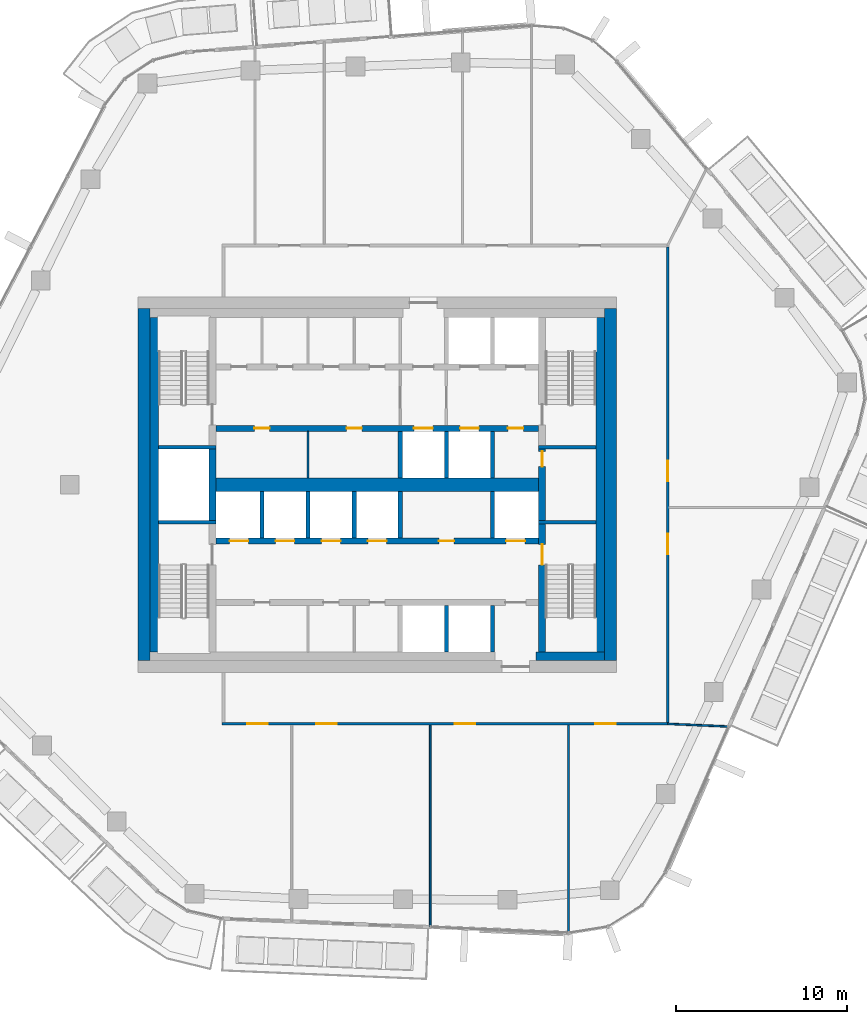
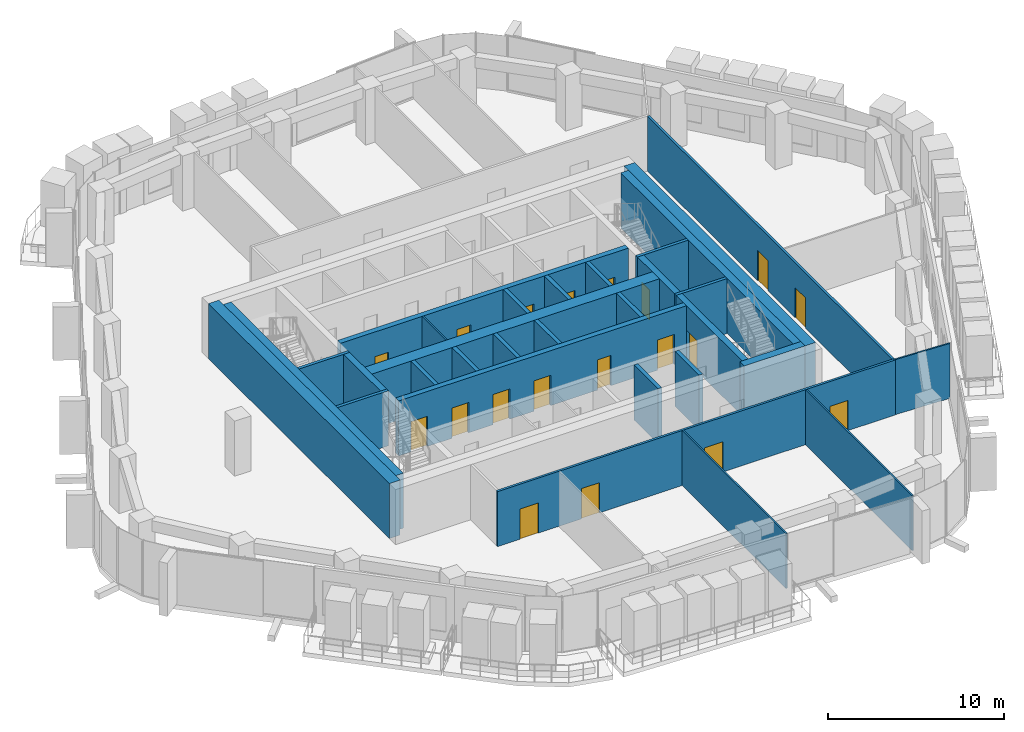
# One storey, part 11 of 20: 31 walls, 19 doors, 19 openings.
"""IFC4 building model written with IfcOpenShell, lengths in metres."""

from ifc_helpers import new_model, si_unit, direction, frame, frame_2d, origin, place, context, subcontext, project, spatial, rectangle, extrude, material, layer, layer_set, type_object, element, fill, save


model = new_model("IFC4")

# Units and contexts
model_context = context("Model", 3, precision=1e-05, world=origin(), true_north=direction((0.0, 1.0)))
body_context = subcontext(model_context, "Body", "Model", "MODEL_VIEW")
ifc_project = project(units=[si_unit("LENGTHUNIT", "METRE"), si_unit("AREAUNIT", "SQUARE_METRE"), si_unit("VOLUMEUNIT", "CUBIC_METRE"), si_unit("PLANEANGLEUNIT", "RADIAN"), si_unit("MASSUNIT", "GRAM", prefix="KILO")], contexts=[model_context])

# Site, building, storey
site_placement = place(None, origin())
site = spatial("IfcSite", under=ifc_project, at=site_placement, CompositionType="ELEMENT")
building_placement = place(site_placement, origin())
building = spatial("IfcBuilding", under=site, at=building_placement, Name="Dongbaek Canopy Tower", CompositionType="ELEMENT")
storey_placement = place(building_placement, frame((0.0, 0.0, 245.39990234375)))
storey = spatial("IfcBuildingStorey", under=building, at=storey_placement, Name="L51", CompositionType="ELEMENT", Elevation=245.39990234375)

# Wall
ifc_material_1 = material(Name="Concrete C60/75", Category="concrete")
ifc_layer_1 = layer(ifc_material_1, 0.800048828125)
ifc_layer_set_1 = layer_set([ifc_layer_1], Name="Core central wall 800 Concrete C60/75")
wall_type_1 = type_object("IfcWallType", Name="Core central wall 800 Concrete C60/75", PredefinedType="SHEAR", material=ifc_layer_set_1)
wall_1_placement = place(storey_placement, frame((-9.449951171875, 0.0, 0.0), z_axis=(0.0, 0.0, 1.0), x_axis=(1.0, 0.0, 0.0)))
element("IfcWall", 1, at=wall_1_placement, inside=storey, type_object=wall_type_1, Name="Core wall", PredefinedType="SHEAR", context=body_context, shape_type="SweptSolid", body=[
    extrude(rectangle(XDim=18.89990234375, YDim=0.800048828125, at=frame_2d((9.449951171875, 0.0))), origin(), (0.0, 0.0, 1.0), 3.820068359375),
])

# Wall, openings, doors
ifc_material_2 = material(Name="Concrete C60/75", Category="concrete")
ifc_layer_2 = layer(ifc_material_2, 0.35009765625)
ifc_layer_set_2 = layer_set([ifc_layer_2], Name="Core lobby wall 350 Concrete C60/75")
wall_type_2 = type_object("IfcWallType", Name="Core lobby wall 350 Concrete C60/75", PredefinedType="SHEAR", material=ifc_layer_set_2)
wall_2_placement = place(storey_placement, frame((9.449951171875, 3.300048828125, 0.0), z_axis=(0.0, 0.0, 1.0), x_axis=(-1.0, 0.0, 0.0)))
wall_2 = element("IfcWall", 2, at=wall_2_placement, inside=storey, type_object=wall_type_2, Name="Core wall", PredefinedType="SHEAR", context=body_context, shape_type="SweptSolid", body=[
    extrude(rectangle(XDim=18.89990234375, YDim=0.35009765625, at=frame_2d((9.449951171875, 0.0))), origin(), (0.0, 0.0, 1.0), 3.820068359375),
])
opening_1_placement = place(wall_2_placement, frame((6.199951171875, 0.0, 0.0)))
opening_1 = element("IfcOpeningElement", 3, at=opening_1_placement, cuts=wall_2, Name="Opening L51-D016", PredefinedType="OPENING", context=body_context, shape_type="SweptSolid", body=[
    extrude(rectangle(XDim=1.10009765625, YDim=2.10009765625, at=frame_2d((0.550048828125, 1.050048828125))), frame((0.0, 0.18505859375, 0.0), z_axis=(0.0, -1.0, 0.0), x_axis=(1.0, 0.0, 0.0)), (0.0, 0.0, 1.0), 0.3701171875),
])
opening_2_placement = place(wall_2_placement, frame((3.5, 0.0, 0.0)))
opening_2 = element("IfcOpeningElement", 4, at=opening_2_placement, cuts=wall_2, Name="Opening L51-D017", PredefinedType="OPENING", context=body_context, shape_type="SweptSolid", body=[
    extrude(rectangle(XDim=1.10009765625, YDim=2.10009765625, at=frame_2d((0.550048828125, 1.050048828125))), frame((0.0, 0.18505859375, 0.0), z_axis=(0.0, -1.0, 0.0), x_axis=(1.0, 0.0, 0.0)), (0.0, 0.0, 1.0), 0.3701171875),
])
opening_3_placement = place(wall_2_placement, frame((0.89990234375, 0.0, 0.0)))
opening_3 = element("IfcOpeningElement", 5, at=opening_3_placement, cuts=wall_2, Name="Opening L51-D018", PredefinedType="OPENING", context=body_context, shape_type="SweptSolid", body=[
    extrude(rectangle(XDim=0.89990234375, YDim=2.10009765625, at=frame_2d((0.449951171875, 1.050048828125))), frame((0.0, 0.18505859375, 0.0), z_axis=(0.0, -1.0, 0.0), x_axis=(1.0, 0.0, 0.0)), (0.0, 0.0, 1.0), 0.3701171875),
])
opening_4_placement = place(wall_2_placement, frame((15.75, 0.0, 0.0)))
opening_4 = element("IfcOpeningElement", 6, at=opening_4_placement, cuts=wall_2, Name="Opening L51-D030", PredefinedType="OPENING", context=body_context, shape_type="SweptSolid", body=[
    extrude(rectangle(XDim=0.89990234375, YDim=2.10009765625, at=frame_2d((0.449951171875, 1.050048828125))), frame((0.0, 0.18505859375, 0.0), z_axis=(0.0, -1.0, 0.0), x_axis=(1.0, 0.0, 0.0)), (0.0, 0.0, 1.0), 0.3701171875),
])
opening_5_placement = place(wall_2_placement, frame((10.35009765625, 0.0, 0.0)))
opening_5 = element("IfcOpeningElement", 7, at=opening_5_placement, cuts=wall_2, Name="Opening L51-D031", PredefinedType="OPENING", context=body_context, shape_type="SweptSolid", body=[
    extrude(rectangle(XDim=0.89990234375, YDim=2.10009765625, at=frame_2d((0.449951171875, 1.050048828125))), frame((0.0, 0.18505859375, 0.0), z_axis=(0.0, -1.0, 0.0), x_axis=(1.0, 0.0, 0.0)), (0.0, 0.0, 1.0), 0.3701171875),
])
ifc_material_3 = material(Name="Steel", Category="steel")
door_type_1 = type_object("IfcDoorType", Name="Core room door 900 x 2100", OperationType="SINGLE_SWING_LEFT", PredefinedType="DOOR", material=ifc_material_3)
door_1_placement = place(opening_3_placement, origin())
door_1 = element("IfcDoor", 8, at=door_1_placement, inside=storey, type_object=door_type_1, Name="Door L51-D018", OperationType="SINGLE_SWING_LEFT", OverallHeight=2.10009765625, OverallWidth=0.89990234375, PredefinedType="DOOR", context=body_context, shape_type="SweptSolid", body=[
    extrude(rectangle(XDim=0.89990234375, YDim=2.10009765625, at=frame_2d((0.449951171875, 1.050048828125))), frame((0.0, 0.02490234375, 0.0), z_axis=(0.0, -1.0, 0.0), x_axis=(1.0, 0.0, 0.0)), (0.0, 0.0, 1.0), 0.050048828125),
])
fill(opening_3, door_1)
door_2_placement = place(opening_4_placement, origin())
door_2 = element("IfcDoor", 9, at=door_2_placement, inside=storey, type_object=door_type_1, Name="Door L51-D030", OperationType="SINGLE_SWING_RIGHT", OverallHeight=2.10009765625, OverallWidth=0.89990234375, PredefinedType="DOOR", context=body_context, shape_type="SweptSolid", body=[
    extrude(rectangle(XDim=0.89990234375, YDim=2.10009765625, at=frame_2d((0.449951171875, 1.050048828125))), frame((0.0, 0.02490234375, 0.0), z_axis=(0.0, -1.0, 0.0), x_axis=(1.0, 0.0, 0.0)), (0.0, 0.0, 1.0), 0.050048828125),
])
fill(opening_4, door_2)
door_3_placement = place(opening_5_placement, origin())
door_3 = element("IfcDoor", 10, at=door_3_placement, inside=storey, type_object=door_type_1, Name="Door L51-D031", OperationType="SINGLE_SWING_LEFT", OverallHeight=2.10009765625, OverallWidth=0.89990234375, PredefinedType="DOOR", context=body_context, shape_type="SweptSolid", body=[
    extrude(rectangle(XDim=0.89990234375, YDim=2.10009765625, at=frame_2d((0.449951171875, 1.050048828125))), frame((0.0, 0.02490234375, 0.0), z_axis=(0.0, -1.0, 0.0), x_axis=(1.0, 0.0, 0.0)), (0.0, 0.0, 1.0), 0.050048828125),
])
fill(opening_5, door_3)
ifc_material_4 = material(Name="Stainless steel", Category="steel")
door_type_2 = type_object("IfcDoorType", Name="Lift landing door 1100 x 2100", OperationType="DOUBLE_DOOR_SLIDING", PredefinedType="DOOR", material=ifc_material_4)
door_4_placement = place(opening_1_placement, origin())
door_4 = element("IfcDoor", 11, at=door_4_placement, inside=storey, type_object=door_type_2, Name="Landing door SV1", OperationType="DOUBLE_DOOR_SLIDING", OverallHeight=2.10009765625, OverallWidth=1.10009765625, PredefinedType="DOOR", context=body_context, shape_type="SweptSolid", body=[
    extrude(rectangle(XDim=1.10009765625, YDim=2.10009765625, at=frame_2d((0.550048828125, 1.050048828125))), frame((0.0, 0.02490234375, 0.0), z_axis=(0.0, -1.0, 0.0), x_axis=(1.0, 0.0, 0.0)), (0.0, 0.0, 1.0), 0.050048828125),
])
fill(opening_1, door_4)
door_5_placement = place(opening_2_placement, origin())
door_5 = element("IfcDoor", 12, at=door_5_placement, inside=storey, type_object=door_type_2, Name="Landing door FF3", OperationType="DOUBLE_DOOR_SLIDING", OverallHeight=2.10009765625, OverallWidth=1.10009765625, PredefinedType="DOOR", context=body_context, shape_type="SweptSolid", body=[
    extrude(rectangle(XDim=1.10009765625, YDim=2.10009765625, at=frame_2d((0.550048828125, 1.050048828125))), frame((0.0, 0.02490234375, 0.0), z_axis=(0.0, -1.0, 0.0), x_axis=(1.0, 0.0, 0.0)), (0.0, 0.0, 1.0), 0.050048828125),
])
fill(opening_2, door_5)

wall_3_placement = place(storey_placement, frame((-9.449951171875, -3.300048828125, 0.0), z_axis=(0.0, 0.0, 1.0), x_axis=(1.0, 0.0, 0.0)))
wall_3 = element("IfcWall", 13, at=wall_3_placement, inside=storey, type_object=wall_type_2, Name="Core wall", PredefinedType="SHEAR", context=body_context, shape_type="SweptSolid", body=[
    extrude(rectangle(XDim=18.89990234375, YDim=0.35009765625, at=frame_2d((9.449951171875, 0.0))), origin(), (0.0, 0.0, 1.0), 3.820068359375),
])
opening_6_placement = place(wall_3_placement, frame((0.800048828125, 0.0, 0.0)))
opening_6 = element("IfcOpeningElement", 14, at=opening_6_placement, cuts=wall_3, Name="Opening L51-D019", PredefinedType="OPENING", context=body_context, shape_type="SweptSolid", body=[
    extrude(rectangle(XDim=1.10009765625, YDim=2.10009765625, at=frame_2d((0.550048828125, 1.050048828125))), frame((0.0, 0.18505859375, 0.0), z_axis=(0.0, -1.0, 0.0), x_axis=(1.0, 0.0, 0.0)), (0.0, 0.0, 1.0), 0.3701171875),
])
opening_7_placement = place(wall_3_placement, frame((3.5, 0.0, 0.0)))
opening_7 = element("IfcOpeningElement", 15, at=opening_7_placement, cuts=wall_3, Name="Opening L51-D020", PredefinedType="OPENING", context=body_context, shape_type="SweptSolid", body=[
    extrude(rectangle(XDim=1.10009765625, YDim=2.10009765625, at=frame_2d((0.550048828125, 1.050048828125))), frame((0.0, 0.18505859375, 0.0), z_axis=(0.0, -1.0, 0.0), x_axis=(1.0, 0.0, 0.0)), (0.0, 0.0, 1.0), 0.3701171875),
])
opening_8_placement = place(wall_3_placement, frame((6.199951171875, 0.0, 0.0)))
opening_8 = element("IfcOpeningElement", 16, at=opening_8_placement, cuts=wall_3, Name="Opening L51-D021", PredefinedType="OPENING", context=body_context, shape_type="SweptSolid", body=[
    extrude(rectangle(XDim=1.10009765625, YDim=2.10009765625, at=frame_2d((0.550048828125, 1.050048828125))), frame((0.0, 0.18505859375, 0.0), z_axis=(0.0, -1.0, 0.0), x_axis=(1.0, 0.0, 0.0)), (0.0, 0.0, 1.0), 0.3701171875),
])
opening_9_placement = place(wall_3_placement, frame((8.89990234375, 0.0, 0.0)))
opening_9 = element("IfcOpeningElement", 17, at=opening_9_placement, cuts=wall_3, Name="Opening L51-D022", PredefinedType="OPENING", context=body_context, shape_type="SweptSolid", body=[
    extrude(rectangle(XDim=1.10009765625, YDim=2.10009765625, at=frame_2d((0.550048828125, 1.050048828125))), frame((0.0, 0.18505859375, 0.0), z_axis=(0.0, -1.0, 0.0), x_axis=(1.0, 0.0, 0.0)), (0.0, 0.0, 1.0), 0.3701171875),
])
opening_10_placement = place(wall_3_placement, frame((17.0, 0.0, 0.0)))
opening_10 = element("IfcOpeningElement", 18, at=opening_10_placement, cuts=wall_3, Name="Opening L51-D023", PredefinedType="OPENING", context=body_context, shape_type="SweptSolid", body=[
    extrude(rectangle(XDim=1.10009765625, YDim=2.10009765625, at=frame_2d((0.550048828125, 1.050048828125))), frame((0.0, 0.18505859375, 0.0), z_axis=(0.0, -1.0, 0.0), x_axis=(1.0, 0.0, 0.0)), (0.0, 0.0, 1.0), 0.3701171875),
])
opening_11_placement = place(wall_3_placement, frame((13.050048828125, 0.0, 0.0)))
opening_11 = element("IfcOpeningElement", 19, at=opening_11_placement, cuts=wall_3, Name="Opening L51-D032", PredefinedType="OPENING", context=body_context, shape_type="SweptSolid", body=[
    extrude(rectangle(XDim=0.89990234375, YDim=2.10009765625, at=frame_2d((0.449951171875, 1.050048828125))), frame((0.0, 0.18505859375, 0.0), z_axis=(0.0, -1.0, 0.0), x_axis=(1.0, 0.0, 0.0)), (0.0, 0.0, 1.0), 0.3701171875),
])
door_6_placement = place(opening_11_placement, origin())
door_6 = element("IfcDoor", 20, at=door_6_placement, inside=storey, type_object=door_type_1, Name="Door L51-D032", OperationType="SINGLE_SWING_RIGHT", OverallHeight=2.10009765625, OverallWidth=0.89990234375, PredefinedType="DOOR", context=body_context, shape_type="SweptSolid", body=[
    extrude(rectangle(XDim=0.89990234375, YDim=2.10009765625, at=frame_2d((0.449951171875, 1.050048828125))), frame((0.0, 0.02490234375, 0.0), z_axis=(0.0, -1.0, 0.0), x_axis=(1.0, 0.0, 0.0)), (0.0, 0.0, 1.0), 0.050048828125),
])
fill(opening_11, door_6)
door_7_placement = place(opening_6_placement, origin())
door_7 = element("IfcDoor", 21, at=door_7_placement, inside=storey, type_object=door_type_2, Name="Landing door MR1", OperationType="DOUBLE_DOOR_SLIDING", OverallHeight=2.10009765625, OverallWidth=1.10009765625, PredefinedType="DOOR", context=body_context, shape_type="SweptSolid", body=[
    extrude(rectangle(XDim=1.10009765625, YDim=2.10009765625, at=frame_2d((0.550048828125, 1.050048828125))), frame((0.0, 0.02490234375, 0.0), z_axis=(0.0, -1.0, 0.0), x_axis=(1.0, 0.0, 0.0)), (0.0, 0.0, 1.0), 0.050048828125),
])
fill(opening_6, door_7)
door_8_placement = place(opening_7_placement, origin())
door_8 = element("IfcDoor", 22, at=door_8_placement, inside=storey, type_object=door_type_2, Name="Landing door MR2", OperationType="DOUBLE_DOOR_SLIDING", OverallHeight=2.10009765625, OverallWidth=1.10009765625, PredefinedType="DOOR", context=body_context, shape_type="SweptSolid", body=[
    extrude(rectangle(XDim=1.10009765625, YDim=2.10009765625, at=frame_2d((0.550048828125, 1.050048828125))), frame((0.0, 0.02490234375, 0.0), z_axis=(0.0, -1.0, 0.0), x_axis=(1.0, 0.0, 0.0)), (0.0, 0.0, 1.0), 0.050048828125),
])
fill(opening_7, door_8)
door_9_placement = place(opening_8_placement, origin())
door_9 = element("IfcDoor", 23, at=door_9_placement, inside=storey, type_object=door_type_2, Name="Landing door MR3", OperationType="DOUBLE_DOOR_SLIDING", OverallHeight=2.10009765625, OverallWidth=1.10009765625, PredefinedType="DOOR", context=body_context, shape_type="SweptSolid", body=[
    extrude(rectangle(XDim=1.10009765625, YDim=2.10009765625, at=frame_2d((0.550048828125, 1.050048828125))), frame((0.0, 0.02490234375, 0.0), z_axis=(0.0, -1.0, 0.0), x_axis=(1.0, 0.0, 0.0)), (0.0, 0.0, 1.0), 0.050048828125),
])
fill(opening_8, door_9)
door_10_placement = place(opening_9_placement, origin())
door_10 = element("IfcDoor", 24, at=door_10_placement, inside=storey, type_object=door_type_2, Name="Landing door MR4", OperationType="DOUBLE_DOOR_SLIDING", OverallHeight=2.10009765625, OverallWidth=1.10009765625, PredefinedType="DOOR", context=body_context, shape_type="SweptSolid", body=[
    extrude(rectangle(XDim=1.10009765625, YDim=2.10009765625, at=frame_2d((0.550048828125, 1.050048828125))), frame((0.0, 0.02490234375, 0.0), z_axis=(0.0, -1.0, 0.0), x_axis=(1.0, 0.0, 0.0)), (0.0, 0.0, 1.0), 0.050048828125),
])
fill(opening_9, door_10)
door_11_placement = place(opening_10_placement, origin())
door_11 = element("IfcDoor", 25, at=door_11_placement, inside=storey, type_object=door_type_2, Name="Landing door SV2", OperationType="DOUBLE_DOOR_SLIDING", OverallHeight=2.10009765625, OverallWidth=1.10009765625, PredefinedType="DOOR", context=body_context, shape_type="SweptSolid", body=[
    extrude(rectangle(XDim=1.10009765625, YDim=2.10009765625, at=frame_2d((0.550048828125, 1.050048828125))), frame((0.0, 0.02490234375, 0.0), z_axis=(0.0, -1.0, 0.0), x_axis=(1.0, 0.0, 0.0)), (0.0, 0.0, 1.0), 0.050048828125),
])
fill(opening_10, door_11)

# Walls
ifc_material_5 = material(Name="Concrete C70/85", Category="concrete")
ifc_layer_3 = layer(ifc_material_5, 0.699951171875)
ifc_layer_set_3 = layer_set([ifc_layer_3], Name="Core outer wall 700 Concrete C70/85")
wall_type_3 = type_object("IfcWallType", Name="Core outer wall 700 Concrete C70/85", PredefinedType="SHEAR", material=ifc_layer_set_3)
for number, where, z_axis, x_axis, name in (
    (26, (13.64990234375, 10.300048828125, 0.0), (0.0, 0.0, 1.0), (0.0, -1.0, 0.0), "Core wall"),
    (27, (-13.64990234375, -10.300048828125, 0.0), (0.0, 0.0, 1.0), (0.0, 1.0, 0.0), "Core wall"),
):
    element("IfcWall", number, at=place(storey_placement, frame(where, z_axis=z_axis, x_axis=x_axis)), inside=storey, type_object=wall_type_3, Name=name, PredefinedType="SHEAR", context=body_context, shape_type="SweptSolid", body=[
        extrude(rectangle(XDim=20.60009765625, YDim=0.699951171875, at=frame_2d((10.300048828125, 0.0))), origin(), (0.0, 0.0, 1.0), 3.820068359375),
    ])
ifc_material_6 = material(Name="Concrete C60/75", Category="concrete")
ifc_layer_4 = layer(ifc_material_6, 0.5)
ifc_layer_set_4 = layer_set([ifc_layer_4], Name="Core wall lining 500 Concrete C60/75")
wall_type_4 = type_object("IfcWallType", Name="Core wall lining 500 Concrete C60/75", PredefinedType="SHEAR", material=ifc_layer_set_4)
wall_4_placement = place(storey_placement, frame((13.300048828125, -10.050048828125, 0.0), z_axis=(0.0, 0.0, 1.0), x_axis=(-1.0, 0.0, 0.0)))
element("IfcWall", 28, at=wall_4_placement, inside=storey, type_object=wall_type_4, Name="Core wall lining", PredefinedType="SHEAR", context=body_context, shape_type="SweptSolid", body=[
    extrude(rectangle(XDim=4.0, YDim=0.5, at=frame_2d((2.0, 0.0))), origin(), (0.0, 0.0, 1.0), 3.820068359375),
])
for number, where, z_axis, x_axis, name in (
    (29, (13.050048828125, 9.800048828125, 0.0), (0.0, 0.0, 1.0), (0.0, -1.0, 0.0), "Core wall lining"),
    (30, (-13.050048828125, -9.800048828125, 0.0), (0.0, 0.0, 1.0), (0.0, 1.0, 0.0), "Core wall lining"),
):
    element("IfcWall", number, at=place(storey_placement, frame(where, z_axis=z_axis, x_axis=x_axis)), inside=storey, type_object=wall_type_4, Name=name, PredefinedType="SHEAR", context=body_context, shape_type="SweptSolid", body=[
        extrude(rectangle(XDim=19.60009765625, YDim=0.5, at=frame_2d((9.800048828125, 0.0))), origin(), (0.0, 0.0, 1.0), 3.820068359375),
    ])

# Wall, openings, doors
ifc_material_7 = material(Name="Gypsum board partition, steel stud, 2 x 15 mm fire board", Category="steel")
ifc_layer_5 = layer(ifc_material_7, 0.14990234375)
ifc_layer_set_5 = layer_set([ifc_layer_5], Name="Fire-rated partition 150 gypsum board")
wall_type_5 = type_object("IfcWallType", Name="Fire-rated partition 150 gypsum board", PredefinedType="PARTITIONING", material=ifc_layer_set_5)
wall_5_placement = place(storey_placement, frame((17.074951171875, -14.0, 0.0), z_axis=(0.0, 0.0, 1.0), x_axis=(-1.0, 0.0, 0.0)))
wall_5 = element("IfcWall", 31, at=wall_5_placement, inside=storey, type_object=wall_type_5, Name="Corridor partition", PredefinedType="PARTITIONING", context=body_context, shape_type="SweptSolid", body=[
    extrude(rectangle(XDim=26.14990234375, YDim=0.14990234375, at=frame_2d((13.074951171875, 0.0))), origin(), (0.0, 0.0, 1.0), 3.820068359375),
])
opening_12_placement = place(wall_5_placement, frame((23.476318359375, 0.0, 0.0)))
opening_12 = element("IfcOpeningElement", 32, at=opening_12_placement, cuts=wall_5, Name="Opening L51-D001", PredefinedType="OPENING", context=body_context, shape_type="SweptSolid", body=[
    extrude(rectangle(XDim=1.199951171875, YDim=2.10009765625, at=frame_2d((0.60009765625, 1.050048828125))), frame((0.0, 0.0849609375, 0.0), z_axis=(0.0, -1.0, 0.0), x_axis=(1.0, 0.0, 0.0)), (0.0, 0.0, 1.0), 0.169921875),
])
opening_13_placement = place(wall_5_placement, frame((19.452392578125, 0.0, 0.0)))
opening_13 = element("IfcOpeningElement", 33, at=opening_13_placement, cuts=wall_5, Name="Opening L51-D002", PredefinedType="OPENING", context=body_context, shape_type="SweptSolid", body=[
    extrude(rectangle(XDim=1.199951171875, YDim=2.10009765625, at=frame_2d((0.60009765625, 1.050048828125))), frame((0.0, 0.0849609375, 0.0), z_axis=(0.0, -1.0, 0.0), x_axis=(1.0, 0.0, 0.0)), (0.0, 0.0, 1.0), 0.169921875),
])
opening_14_placement = place(wall_5_placement, frame((11.3505859375, 0.0, 0.0)))
opening_14 = element("IfcOpeningElement", 34, at=opening_14_placement, cuts=wall_5, Name="Opening L51-D003", PredefinedType="OPENING", context=body_context, shape_type="SweptSolid", body=[
    extrude(rectangle(XDim=1.199951171875, YDim=2.10009765625, at=frame_2d((0.60009765625, 1.050048828125))), frame((0.0, 0.0849609375, 0.0), z_axis=(0.0, -1.0, 0.0), x_axis=(1.0, 0.0, 0.0)), (0.0, 0.0, 1.0), 0.169921875),
])
opening_15_placement = place(wall_5_placement, frame((3.12451171875, 0.0, 0.0)))
opening_15 = element("IfcOpeningElement", 35, at=opening_15_placement, cuts=wall_5, Name="Opening L51-D004", PredefinedType="OPENING", context=body_context, shape_type="SweptSolid", body=[
    extrude(rectangle(XDim=1.199951171875, YDim=2.10009765625, at=frame_2d((0.60009765625, 1.050048828125))), frame((0.0, 0.0849609375, 0.0), z_axis=(0.0, -1.0, 0.0), x_axis=(1.0, 0.0, 0.0)), (0.0, 0.0, 1.0), 0.169921875),
])
ifc_material_8 = material(Name="Timber veneered door leaf", Category="wood")
door_type_3 = type_object("IfcDoorType", Name="Room door 1200 x 2100", OperationType="SINGLE_SWING_LEFT", PredefinedType="DOOR", material=ifc_material_8)
door_12_placement = place(opening_12_placement, origin())
door_12 = element("IfcDoor", 36, at=door_12_placement, inside=storey, type_object=door_type_3, Name="Door L51-D001", OperationType="SINGLE_SWING_RIGHT", OverallHeight=2.10009765625, OverallWidth=1.199951171875, PredefinedType="DOOR", context=body_context, shape_type="SweptSolid", body=[
    extrude(rectangle(XDim=1.199951171875, YDim=2.10009765625, at=frame_2d((0.60009765625, 1.050048828125))), frame((0.0, 0.02490234375, 0.0), z_axis=(0.0, -1.0, 0.0), x_axis=(1.0, 0.0, 0.0)), (0.0, 0.0, 1.0), 0.050048828125),
])
fill(opening_12, door_12)
door_13_placement = place(opening_13_placement, origin())
door_13 = element("IfcDoor", 37, at=door_13_placement, inside=storey, type_object=door_type_3, Name="Door L51-D002", OperationType="SINGLE_SWING_LEFT", OverallHeight=2.10009765625, OverallWidth=1.199951171875, PredefinedType="DOOR", context=body_context, shape_type="SweptSolid", body=[
    extrude(rectangle(XDim=1.199951171875, YDim=2.10009765625, at=frame_2d((0.60009765625, 1.050048828125))), frame((0.0, 0.02490234375, 0.0), z_axis=(0.0, -1.0, 0.0), x_axis=(1.0, 0.0, 0.0)), (0.0, 0.0, 1.0), 0.050048828125),
])
fill(opening_13, door_13)
door_14_placement = place(opening_14_placement, origin())
door_14 = element("IfcDoor", 38, at=door_14_placement, inside=storey, type_object=door_type_3, Name="Door L51-D003", OperationType="SINGLE_SWING_RIGHT", OverallHeight=2.10009765625, OverallWidth=1.199951171875, PredefinedType="DOOR", context=body_context, shape_type="SweptSolid", body=[
    extrude(rectangle(XDim=1.199951171875, YDim=2.10009765625, at=frame_2d((0.60009765625, 1.050048828125))), frame((0.0, 0.02490234375, 0.0), z_axis=(0.0, -1.0, 0.0), x_axis=(1.0, 0.0, 0.0)), (0.0, 0.0, 1.0), 0.050048828125),
])
fill(opening_14, door_14)
door_15_placement = place(opening_15_placement, origin())
door_15 = element("IfcDoor", 39, at=door_15_placement, inside=storey, type_object=door_type_3, Name="Door L51-D004", OperationType="SINGLE_SWING_LEFT", OverallHeight=2.10009765625, OverallWidth=1.199951171875, PredefinedType="DOOR", context=body_context, shape_type="SweptSolid", body=[
    extrude(rectangle(XDim=1.199951171875, YDim=2.10009765625, at=frame_2d((0.60009765625, 1.050048828125))), frame((0.0, 0.02490234375, 0.0), z_axis=(0.0, -1.0, 0.0), x_axis=(1.0, 0.0, 0.0)), (0.0, 0.0, 1.0), 0.050048828125),
])
fill(opening_15, door_15)

wall_6_placement = place(storey_placement, frame((17.0, 13.925048828125, 0.0), z_axis=(0.0, 0.0, 1.0), x_axis=(0.0, -1.0, 0.0)))
wall_6 = element("IfcWall", 40, at=wall_6_placement, inside=storey, type_object=wall_type_5, Name="Corridor partition", PredefinedType="PARTITIONING", context=body_context, shape_type="SweptSolid", body=[
    extrude(rectangle(XDim=27.85009765625, YDim=0.14990234375, at=frame_2d((13.925048828125, 0.0))), origin(), (0.0, 0.0, 1.0), 3.820068359375),
])
opening_16_placement = place(wall_6_placement, frame((16.8017578125, 0.0, 0.0)))
opening_16 = element("IfcOpeningElement", 41, at=opening_16_placement, cuts=wall_6, Name="Opening L51-D005", PredefinedType="OPENING", context=body_context, shape_type="SweptSolid", body=[
    extrude(rectangle(XDim=1.199951171875, YDim=2.10009765625, at=frame_2d((0.60009765625, 1.050048828125))), frame((0.0, 0.0849609375, 0.0), z_axis=(0.0, -1.0, 0.0), x_axis=(1.0, 0.0, 0.0)), (0.0, 0.0, 1.0), 0.169921875),
])
opening_17_placement = place(wall_6_placement, frame((12.53369140625, 0.0, 0.0)))
opening_17 = element("IfcOpeningElement", 42, at=opening_17_placement, cuts=wall_6, Name="Opening L51-D006", PredefinedType="OPENING", context=body_context, shape_type="SweptSolid", body=[
    extrude(rectangle(XDim=1.199951171875, YDim=2.10009765625, at=frame_2d((0.60009765625, 1.050048828125))), frame((0.0, 0.0849609375, 0.0), z_axis=(0.0, -1.0, 0.0), x_axis=(1.0, 0.0, 0.0)), (0.0, 0.0, 1.0), 0.169921875),
])
door_16_placement = place(opening_16_placement, origin())
door_16 = element("IfcDoor", 43, at=door_16_placement, inside=storey, type_object=door_type_3, Name="Door L51-D005", OperationType="SINGLE_SWING_RIGHT", OverallHeight=2.10009765625, OverallWidth=1.199951171875, PredefinedType="DOOR", context=body_context, shape_type="SweptSolid", body=[
    extrude(rectangle(XDim=1.199951171875, YDim=2.10009765625, at=frame_2d((0.60009765625, 1.050048828125))), frame((0.0, 0.02490234375, 0.0), z_axis=(0.0, -1.0, 0.0), x_axis=(1.0, 0.0, 0.0)), (0.0, 0.0, 1.0), 0.050048828125),
])
fill(opening_16, door_16)
door_17_placement = place(opening_17_placement, origin())
door_17 = element("IfcDoor", 44, at=door_17_placement, inside=storey, type_object=door_type_3, Name="Door L51-D006", OperationType="SINGLE_SWING_LEFT", OverallHeight=2.10009765625, OverallWidth=1.199951171875, PredefinedType="DOOR", context=body_context, shape_type="SweptSolid", body=[
    extrude(rectangle(XDim=1.199951171875, YDim=2.10009765625, at=frame_2d((0.60009765625, 1.050048828125))), frame((0.0, 0.02490234375, 0.0), z_axis=(0.0, -1.0, 0.0), x_axis=(1.0, 0.0, 0.0)), (0.0, 0.0, 1.0), 0.050048828125),
])
fill(opening_17, door_17)

# Walls
ifc_material_9 = material(Name="Concrete C40/50", Category="concrete")
ifc_layer_6 = layer(ifc_material_9, 0.25)
ifc_layer_set_6 = layer_set([ifc_layer_6], Name="Lift shaft wall 250 Concrete C40/50")
wall_type_6 = type_object("IfcWallType", Name="Lift shaft wall 250 Concrete C40/50", PredefinedType="SOLIDWALL", material=ifc_layer_set_6)
for number, where, z_axis, x_axis, name in (
    (45, (6.75, -9.800048828125, 0.0), (0.0, 0.0, 1.0), (0.0, 1.0, 0.0), "Lift shaft wall"),
    (46, (6.75, -3.125, 0.0), (0.0, 0.0, 1.0), (0.0, 1.0, 0.0), "Lift shaft wall"),
    (47, (6.75, 0.39990234375, 0.0), (0.0, 0.0, 1.0), (0.0, 1.0, 0.0), "Lift shaft wall"),
    (48, (4.050048828125, -9.800048828125, 0.0), (0.0, 0.0, 1.0), (0.0, 1.0, 0.0), "Lift shaft wall"),
    (49, (4.050048828125, 0.39990234375, 0.0), (0.0, 0.0, 1.0), (0.0, 1.0, 0.0), "Lift shaft wall"),
    (50, (1.35009765625, -3.125, 0.0), (0.0, 0.0, 1.0), (0.0, 1.0, 0.0), "Lift shaft wall"),
    (51, (1.35009765625, 0.39990234375, 0.0), (0.0, 0.0, 1.0), (0.0, 1.0, 0.0), "Lift shaft wall"),
    (52, (-1.35009765625, -3.125, 0.0), (0.0, 0.0, 1.0), (0.0, 1.0, 0.0), "Lift shaft wall"),
    (53, (-4.050048828125, -3.125, 0.0), (0.0, 0.0, 1.0), (0.0, 1.0, 0.0), "Lift shaft wall"),
    (54, (-6.75, -3.125, 0.0), (0.0, 0.0, 1.0), (0.0, 1.0, 0.0), "Lift shaft wall"),
):
    element("IfcWall", number, at=place(storey_placement, frame(where, z_axis=z_axis, x_axis=x_axis)), inside=storey, type_object=wall_type_6, Name=name, PredefinedType="SOLIDWALL", context=body_context, shape_type="SweptSolid", body=[
        extrude(rectangle(XDim=2.72509765625, YDim=0.25, at=frame_2d((1.362548828125, 0.0))), origin(), (0.0, 0.0, 1.0), 3.820068359375),
    ])
ifc_material_10 = material(Name="Gypsum board partition, steel stud, 2 x 12.5 mm board", Category="steel")
ifc_layer_7 = layer(ifc_material_10, 0.10009765625)
ifc_layer_set_7 = layer_set([ifc_layer_7], Name="Partition 100 gypsum board")
wall_type_7 = type_object("IfcWallType", Name="Partition 100 gypsum board", PredefinedType="PARTITIONING", material=ifc_layer_set_7)
wall_7_placement = place(storey_placement, frame((11.194091796875, -26.215087890625, 0.0), z_axis=(0.0, 0.0, 1.0), x_axis=(0.0, 1.0, 0.0)))
element("IfcWall", 55, at=wall_7_placement, inside=storey, type_object=wall_type_7, Name="Partition", PredefinedType="PARTITIONING", context=body_context, shape_type="SweptSolid", body=[
    extrude(rectangle(XDim=12.14013671875, YDim=0.10009765625, at=frame_2d((6.070068359375, 0.0))), origin(), (0.0, 0.0, 1.0), 3.820068359375),
])
wall_8_placement = place(storey_placement, frame((3.097900390625, -25.879150390625, 0.0), z_axis=(0.0, 0.0, 1.0), x_axis=(0.0, 1.0, 0.0)))
element("IfcWall", 56, at=wall_8_placement, inside=storey, type_object=wall_type_7, Name="Partition", PredefinedType="PARTITIONING", context=body_context, shape_type="SweptSolid", body=[
    extrude(rectangle(XDim=11.80419921875, YDim=0.10009765625, at=frame_2d((5.902099609375, 0.0))), origin(), (0.0, 0.0, 1.0), 3.820068359375),
])
wall_9_placement = place(storey_placement, frame((17.0, -14.0, 0.0), z_axis=(0.0, 0.0, 1.0), x_axis=(0.99903279054, -0.043971393272, 0.0)))
element("IfcWall", 57, at=wall_9_placement, inside=storey, type_object=wall_type_7, Name="Partition", PredefinedType="PARTITIONING", context=body_context, shape_type="SweptSolid", body=[
    extrude(rectangle(XDim=3.570068359375, YDim=0.10009765625, at=frame_2d((1.78515625, 0.0))), origin(), (0.0, 0.0, 1.0), 3.820068359375),
])
wall_10_placement = place(storey_placement, frame((-4.050048828125, 0.39990234375, 0.0), z_axis=(0.0, 0.0, 1.0), x_axis=(0.0, 1.0, 0.0)))
element("IfcWall", 58, at=wall_10_placement, inside=storey, type_object=wall_type_7, Name="Core partition", PredefinedType="PARTITIONING", context=body_context, shape_type="SweptSolid", body=[
    extrude(rectangle(XDim=2.72509765625, YDim=0.10009765625, at=frame_2d((1.362548828125, 0.0))), origin(), (0.0, 0.0, 1.0), 3.820068359375),
])
ifc_material_11 = material(Name="Concrete C60/75", Category="concrete")
ifc_layer_8 = layer(ifc_material_11, 0.199951171875)
ifc_layer_set_8 = layer_set([ifc_layer_8], Name="Riser wall 200 Concrete C60/75")
wall_type_8 = type_object("IfcWallType", Name="Riser wall 200 Concrete C60/75", PredefinedType="SHEAR", material=ifc_layer_set_8)
for number, where, z_axis, x_axis, name in (
    (59, (9.449951171875, 2.199951171875, 0.0), (0.0, 0.0, 1.0), (1.0, 0.0, 0.0), "Riser wall"),
    (60, (-9.449951171875, 2.199951171875, 0.0), (0.0, 0.0, 1.0), (-1.0, 0.0, 0.0), "Riser wall"),
    (61, (9.449951171875, -2.199951171875, 0.0), (0.0, 0.0, 1.0), (1.0, 0.0, 0.0), "Riser wall"),
    (62, (-9.449951171875, -2.199951171875, 0.0), (0.0, 0.0, 1.0), (-1.0, 0.0, 0.0), "Riser wall"),
):
    element("IfcWall", number, at=place(storey_placement, frame(where, z_axis=z_axis, x_axis=x_axis)), inside=storey, type_object=wall_type_8, Name=name, PredefinedType="SHEAR", context=body_context, shape_type="SweptSolid", body=[
        extrude(rectangle(XDim=3.35009765625, YDim=0.199951171875, at=frame_2d((1.675048828125, 0.0))), origin(), (0.0, 0.0, 1.0), 3.820068359375),
    ])

# Wall, opening, door
ifc_material_12 = material(Name="Concrete C60/75", Category="concrete")
ifc_layer_9 = layer(ifc_material_12, 0.39990234375)
ifc_layer_set_9 = layer_set([ifc_layer_9], Name="Stair wall 400 Concrete C60/75")
wall_type_9 = type_object("IfcWallType", Name="Stair wall 400 Concrete C60/75", PredefinedType="SHEAR", material=ifc_layer_set_9)
wall_11_placement = place(storey_placement, frame((9.64990234375, -2.300048828125, 0.0), z_axis=(0.0, 0.0, 1.0), x_axis=(0.0, -1.0, 0.0)))
wall_11 = element("IfcWall", 63, at=wall_11_placement, inside=storey, type_object=wall_type_9, Name="Stair wall", PredefinedType="SHEAR", context=body_context, shape_type="SweptSolid", body=[
    extrude(rectangle(XDim=7.5, YDim=0.39990234375, at=frame_2d((3.75, 0.0))), origin(), (0.0, 0.0, 1.0), 3.820068359375),
])
opening_18_placement = place(wall_11_placement, frame((1.199951171875, 0.0, 0.0)))
opening_18 = element("IfcOpeningElement", 64, at=opening_18_placement, cuts=wall_11, Name="Opening L51-D038", PredefinedType="OPENING", context=body_context, shape_type="SweptSolid", body=[
    extrude(rectangle(XDim=1.199951171875, YDim=2.10009765625, at=frame_2d((0.60009765625, 1.050048828125))), frame((0.0, 0.2099609375, 0.0), z_axis=(0.0, -1.0, 0.0), x_axis=(1.0, 0.0, 0.0)), (0.0, 0.0, 1.0), 0.419921875),
])
ifc_material_13 = material(Name="Steel", Category="steel")
door_type_4 = type_object("IfcDoorType", Name="Stair door 1200 x 2100", OperationType="SINGLE_SWING_LEFT", PredefinedType="DOOR", material=ifc_material_13)
door_18_placement = place(opening_18_placement, origin())
door_18 = element("IfcDoor", 65, at=door_18_placement, inside=storey, type_object=door_type_4, Name="Stair B door", OperationType="SINGLE_SWING_RIGHT", OverallHeight=2.10009765625, OverallWidth=1.199951171875, PredefinedType="DOOR", context=body_context, shape_type="SweptSolid", body=[
    extrude(rectangle(XDim=1.199951171875, YDim=2.10009765625, at=frame_2d((0.60009765625, 1.050048828125))), frame((0.0, 0.02490234375, 0.0), z_axis=(0.0, -1.0, 0.0), x_axis=(1.0, 0.0, 0.0)), (0.0, 0.0, 1.0), 0.050048828125),
])
fill(opening_18, door_18)

wall_12_placement = place(storey_placement, frame((9.64990234375, 2.10009765625, 0.0), z_axis=(0.0, 0.0, 1.0), x_axis=(0.0, -1.0, 0.0)))
wall_12 = element("IfcWall", 66, at=wall_12_placement, inside=storey, type_object=wall_type_9, Name="Stair wall", PredefinedType="SHEAR", context=body_context, shape_type="SweptSolid", body=[
    extrude(rectangle(XDim=4.2001953125, YDim=0.39990234375, at=frame_2d((2.10009765625, 0.0))), origin(), (0.0, 0.0, 1.0), 3.820068359375),
])
opening_19_placement = place(wall_12_placement, frame((0.14990234375, 0.0, 0.0)))
opening_19 = element("IfcOpeningElement", 67, at=opening_19_placement, cuts=wall_12, Name="Opening L51-D011", PredefinedType="OPENING", context=body_context, shape_type="SweptSolid", body=[
    extrude(rectangle(XDim=0.89990234375, YDim=2.10009765625, at=frame_2d((0.449951171875, 1.050048828125))), frame((0.0, 0.2099609375, 0.0), z_axis=(0.0, -1.0, 0.0), x_axis=(1.0, 0.0, 0.0)), (0.0, 0.0, 1.0), 0.419921875),
])
door_19_placement = place(opening_19_placement, origin())
door_19 = element("IfcDoor", 68, at=door_19_placement, inside=storey, type_object=door_type_1, Name="Door L51-D011", OperationType="SINGLE_SWING_RIGHT", OverallHeight=2.10009765625, OverallWidth=0.89990234375, PredefinedType="DOOR", context=body_context, shape_type="SweptSolid", body=[
    extrude(rectangle(XDim=0.89990234375, YDim=2.10009765625, at=frame_2d((0.449951171875, 1.050048828125))), frame((0.0, 0.02490234375, 0.0), z_axis=(0.0, -1.0, 0.0), x_axis=(1.0, 0.0, 0.0)), (0.0, 0.0, 1.0), 0.050048828125),
])
fill(opening_19, door_19)

# Wall
wall_13_placement = place(storey_placement, frame((-9.64990234375, -2.10009765625, 0.0), z_axis=(0.0, 0.0, 1.0), x_axis=(0.0, 1.0, 0.0)))
element("IfcWall", 69, at=wall_13_placement, inside=storey, type_object=wall_type_9, Name="Stair wall", PredefinedType="SHEAR", context=body_context, shape_type="SweptSolid", body=[
    extrude(rectangle(XDim=4.2001953125, YDim=0.39990234375, at=frame_2d((2.10009765625, 0.0))), origin(), (0.0, 0.0, 1.0), 3.820068359375),
])

save(model, "model.ifc")
